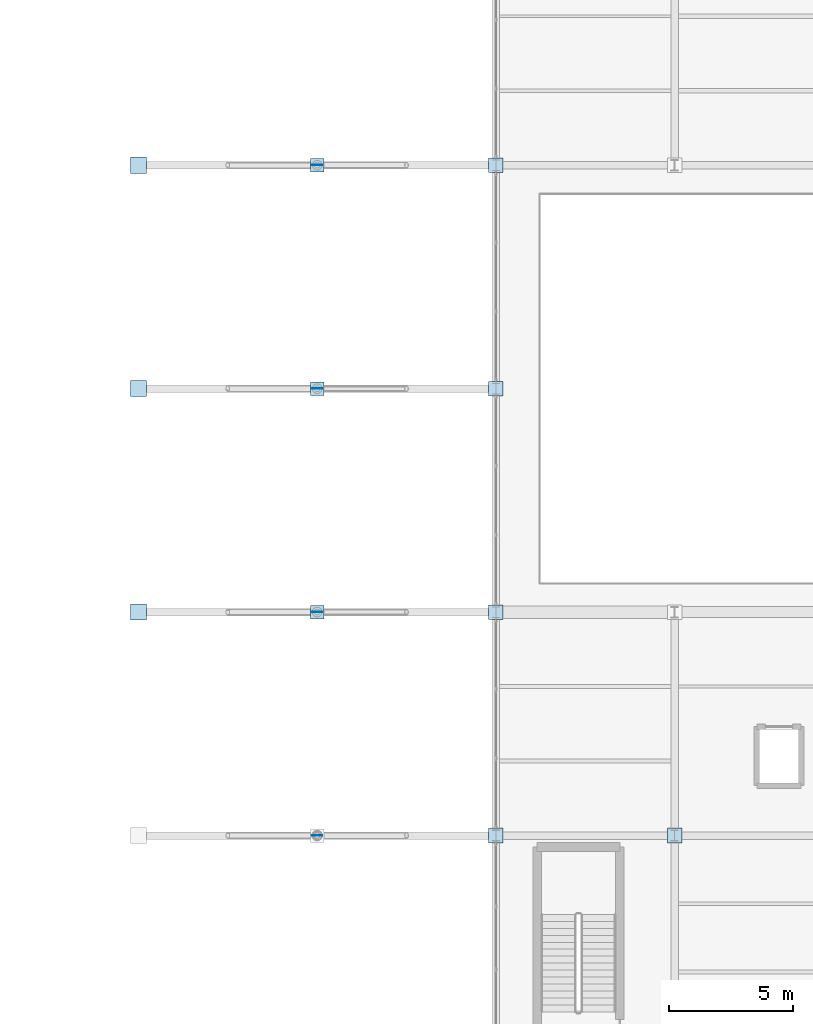
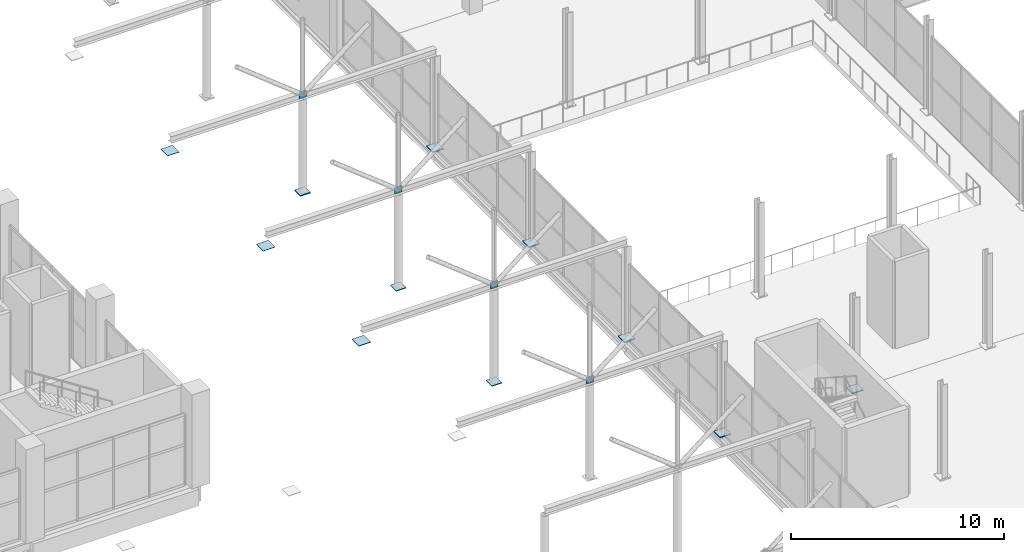
# One storey, part 123 of 147: 15 plates.
"""IFC4 building model written with IfcOpenShell, lengths in metres."""

from ifc_helpers import new_model, si_unit, direction, frame, origin, origin_2d, place, context, subcontext, project, spatial, rectangle, extrude, material, layer, layer_set, type_object, element, save


model = new_model("IFC4")

# Units and contexts
model_context = context("Model", 3, precision=1e-05, world=origin(), true_north=direction((0.0, 1.0)))
body_context = subcontext(model_context, "Body", "Model", "MODEL_VIEW")
ifc_project = project(units=[si_unit("LENGTHUNIT", "METRE"), si_unit("AREAUNIT", "SQUARE_METRE"), si_unit("VOLUMEUNIT", "CUBIC_METRE"), si_unit("PLANEANGLEUNIT", "RADIAN"), si_unit("MASSUNIT", "GRAM", prefix="KILO")], contexts=[model_context])

# Site, building, storey
site_placement = place(None, origin())
site = spatial("IfcSite", under=ifc_project, at=site_placement, CompositionType="ELEMENT")
building_placement = place(site_placement, origin())
building = spatial("IfcBuilding", under=site, at=building_placement, Name="Sundgate Opera House", CompositionType="ELEMENT")
storey_placement = place(building_placement, frame((0.0, 0.0, 6.0)))
storey = spatial("IfcBuildingStorey", under=building, at=storey_placement, Name="L01", CompositionType="ELEMENT", Elevation=6.0)

# Plates
ifc_material_1 = material(Name="Steel S355J2", Category="steel")
ifc_layer_1 = layer(ifc_material_1, 0.0400390625)
ifc_layer_set_1 = layer_set([ifc_layer_1], Name="Steel S355J2")
plate_type_1 = type_object("IfcPlateType", Name="PT-BAS-40", PredefinedType="USERDEFINED", material=ifc_layer_set_1)
plate_1_placement = place(storey_placement, frame((88.199951171875, 42.0, 0.0), z_axis=(0.0, 0.0, 1.0), x_axis=(1.0, 0.0, 0.0)))
element("IfcPlate", 1, at=plate_1_placement, inside=storey, type_object=plate_type_1, Name="L01 Base Plate PT0191", ObjectType="BASE PLATE", PredefinedType="USERDEFINED", context=body_context, shape_type="SweptSolid", body=[
    extrude(rectangle(XDim=0.5458984375, YDim=0.5458984375, at=origin_2d()), origin(), (0.0, 0.0, 1.0), 0.0400390625),
])
ifc_material_2 = material(Name="Steel S355J2", Category="steel")
ifc_layer_2 = layer(ifc_material_2, 0.044921875)
ifc_layer_set_2 = layer_set([ifc_layer_2], Name="Steel S355J2")
plate_type_2 = type_object("IfcPlateType", Name="PT-BAS-45", PredefinedType="USERDEFINED", material=ifc_layer_set_2)
plate_2_placement = place(storey_placement, frame((88.199951171875, 51.0, 0.0), z_axis=(0.0, 0.0, 1.0), x_axis=(1.0, 0.0, 0.0)))
element("IfcPlate", 2, at=plate_2_placement, inside=storey, type_object=plate_type_2, Name="L01 Base Plate PT0193", ObjectType="BASE PLATE", PredefinedType="USERDEFINED", context=body_context, shape_type="SweptSolid", body=[
    extrude(rectangle(XDim=0.5458984375, YDim=0.5458984375, at=origin_2d()), origin(), (0.0, 0.0, 1.0), 0.044921875),
])
ifc_material_3 = material(Name="Steel S355J2", Category="steel")
ifc_layer_3 = layer(ifc_material_3, 0.050048828125)
ifc_layer_set_3 = layer_set([ifc_layer_3], Name="Steel S355J2")
plate_type_3 = type_object("IfcPlateType", Name="PT-BAS-50", PredefinedType="USERDEFINED", material=ifc_layer_set_3)
plate_3_placement = place(storey_placement, frame((88.199951171875, 60.0, 0.0), z_axis=(0.0, 0.0, 1.0), x_axis=(1.0, 0.0, 0.0)))
element("IfcPlate", 3, at=plate_3_placement, inside=storey, type_object=plate_type_3, Name="L01 Base Plate PT0195", ObjectType="BASE PLATE", PredefinedType="USERDEFINED", context=body_context, shape_type="SweptSolid", body=[
    extrude(rectangle(XDim=0.5458984375, YDim=0.5458984375, at=origin_2d()), origin(), (0.0, 0.0, 1.0), 0.050048828125),
])
plate_4_placement = place(storey_placement, frame((95.39990234375, 33.0, 0.0), z_axis=(0.0, 0.0, 1.0), x_axis=(1.0, 0.0, 0.0)))
element("IfcPlate", 4, at=plate_4_placement, inside=storey, type_object=plate_type_3, Name="L01 Base Plate PT0222", ObjectType="BASE PLATE", PredefinedType="USERDEFINED", context=body_context, shape_type="SweptSolid", body=[
    extrude(rectangle(XDim=0.590087890625, YDim=0.590087890625, at=origin_2d()), origin(), (0.0, 0.0, 1.0), 0.050048828125),
])
ifc_material_4 = material(Name="Steel S355J2", Category="steel")
ifc_layer_4 = layer(ifc_material_4, 0.055908203125)
ifc_layer_set_4 = layer_set([ifc_layer_4], Name="Steel S355J2")
plate_type_4 = type_object("IfcPlateType", Name="PT-BAS-56", PredefinedType="USERDEFINED", material=ifc_layer_set_4)
for number, where, z_axis, x_axis, name in (
    (5, (95.39990234375, 60.0, 0.0), (0.0, 0.0, 1.0), (1.0, 0.0, 0.0), "L01 Base Plate PT0231"),
    (6, (102.60009765625, 33.0, 0.0), (0.0, 0.0, 1.0), (1.0, 0.0, 0.0), "L01 Base Plate PT0244"),
):
    element("IfcPlate", number, at=place(storey_placement, frame(where, z_axis=z_axis, x_axis=x_axis)), inside=storey, type_object=plate_type_4, Name=name, ObjectType="BASE PLATE", PredefinedType="USERDEFINED", context=body_context, shape_type="SweptSolid", body=[
        extrude(rectangle(XDim=0.590087890625, YDim=0.590087890625, at=origin_2d()), origin(), (0.0, 0.0, 1.0), 0.055908203125),
    ])
ifc_material_5 = material(Name="Steel S355J2", Category="steel")
ifc_layer_5 = layer(ifc_material_5, 0.06201171875)
ifc_layer_set_5 = layer_set([ifc_layer_5], Name="Steel S355J2")
plate_type_5 = type_object("IfcPlateType", Name="PT-BAS-62", PredefinedType="USERDEFINED", material=ifc_layer_set_5)
plate_5_placement = place(storey_placement, frame((95.39990234375, 51.0, 0.0), z_axis=(0.0, 0.0, 1.0), x_axis=(1.0, 0.0, 0.0)))
element("IfcPlate", 7, at=plate_5_placement, inside=storey, type_object=plate_type_5, Name="L01 Base Plate PT0228", ObjectType="BASE PLATE", PredefinedType="USERDEFINED", context=body_context, shape_type="SweptSolid", body=[
    extrude(rectangle(XDim=0.590087890625, YDim=0.590087890625, at=origin_2d()), origin(), (0.0, 0.0, 1.0), 0.06201171875),
])
ifc_material_6 = material(Name="Steel S355J2", Category="steel")
ifc_layer_6 = layer(ifc_material_6, 0.068115234375)
ifc_layer_set_6 = layer_set([ifc_layer_6], Name="Steel S355J2")
plate_type_6 = type_object("IfcPlateType", Name="PT-BAS-68", PredefinedType="USERDEFINED", material=ifc_layer_set_6)
plate_6_placement = place(storey_placement, frame((95.39990234375, 42.0, 0.0), z_axis=(0.0, 0.0, 1.0), x_axis=(1.0, 0.0, 0.0)))
element("IfcPlate", 8, at=plate_6_placement, inside=storey, type_object=plate_type_6, Name="L01 Base Plate PT0225", ObjectType="BASE PLATE", PredefinedType="USERDEFINED", context=body_context, shape_type="SweptSolid", body=[
    extrude(rectangle(XDim=0.590087890625, YDim=0.590087890625, at=origin_2d()), origin(), (0.0, 0.0, 1.0), 0.068115234375),
])
ifc_material_7 = material(Name="Steel S355J2", Category="steel")
ifc_layer_7 = layer(ifc_material_7, 0.02197265625)
ifc_layer_set_7 = layer_set([ifc_layer_7], Name="Steel S355J2")
plate_type_7 = type_object("IfcPlateType", Name="PT-GUS-22", PredefinedType="USERDEFINED", material=ifc_layer_set_7)
plate_7_placement = place(storey_placement, frame((81.0, 60.0, 4.87890625), z_axis=(0.0, 0.0, 1.0), x_axis=(1.0, 0.0, 0.0)))
element("IfcPlate", 9, at=plate_7_placement, inside=storey, type_object=plate_type_7, Name="Cantilever Node Gusset Plate PT0438", ObjectType="GUSSET PLATE", PredefinedType="USERDEFINED", context=body_context, shape_type="SweptSolid", body=[
    extrude(rectangle(XDim=0.64990234375, YDim=0.64990234375, at=origin_2d()), origin(), (0.0, 0.0, 1.0), 0.02197265625),
])
for number, where, z_axis, x_axis, name in (
    (10, (88.199951171875, 33.0, 5.39501953125), (0.0, 0.0, 1.0), (1.0, 0.0, 0.0), "Passage Strut Shared Base Gusset"),
    (11, (88.199951171875, 42.0, 5.39501953125), (0.0, 0.0, 1.0), (1.0, 0.0, 0.0), "Passage Strut Shared Base Gusset"),
    (12, (88.199951171875, 51.0, 5.39501953125), (0.0, 0.0, 1.0), (1.0, 0.0, 0.0), "Passage Strut Shared Base Gusset"),
    (13, (88.199951171875, 60.0, 5.39501953125), (0.0, 0.0, 1.0), (1.0, 0.0, 0.0), "Passage Strut Shared Base Gusset"),
):
    element("IfcPlate", number, at=place(storey_placement, frame(where, z_axis=z_axis, x_axis=x_axis)), inside=storey, type_object=plate_type_7, Name=name, ObjectType="GUSSET PLATE", PredefinedType="USERDEFINED", context=body_context, shape_type="SweptSolid", body=[
        extrude(rectangle(XDim=0.39990234375, YDim=0.02197265625, at=origin_2d()), origin(), (0.0, 0.0, 1.0), 0.39990234375),
    ])
ifc_material_8 = material(Name="Steel S355J2", Category="steel")
ifc_layer_8 = layer(ifc_material_8, 0.02490234375)
ifc_layer_set_8 = layer_set([ifc_layer_8], Name="Steel S355J2")
plate_type_8 = type_object("IfcPlateType", Name="PT-GUS-25", PredefinedType="USERDEFINED", material=ifc_layer_set_8)
plate_8_placement = place(storey_placement, frame((81.0, 51.0, 4.87744140625), z_axis=(0.0, 0.0, 1.0), x_axis=(1.0, 0.0, 0.0)))
element("IfcPlate", 14, at=plate_8_placement, inside=storey, type_object=plate_type_8, Name="Cantilever Node Gusset Plate PT0436", ObjectType="GUSSET PLATE", PredefinedType="USERDEFINED", context=body_context, shape_type="SweptSolid", body=[
    extrude(rectangle(XDim=0.64990234375, YDim=0.64990234375, at=origin_2d()), origin(), (0.0, 0.0, 1.0), 0.02490234375),
])
ifc_material_9 = material(Name="Steel S355J2", Category="steel")
ifc_layer_9 = layer(ifc_material_9, 0.028076171875)
ifc_layer_set_9 = layer_set([ifc_layer_9], Name="Steel S355J2")
plate_type_9 = type_object("IfcPlateType", Name="PT-GUS-28", PredefinedType="USERDEFINED", material=ifc_layer_set_9)
plate_9_placement = place(storey_placement, frame((81.0, 42.0, 4.8759765625), z_axis=(0.0, 0.0, 1.0), x_axis=(1.0, 0.0, 0.0)))
element("IfcPlate", 15, at=plate_9_placement, inside=storey, type_object=plate_type_9, Name="Cantilever Node Gusset Plate PT0434", ObjectType="GUSSET PLATE", PredefinedType="USERDEFINED", context=body_context, shape_type="SweptSolid", body=[
    extrude(rectangle(XDim=0.64990234375, YDim=0.64990234375, at=origin_2d()), origin(), (0.0, 0.0, 1.0), 0.028076171875),
])

save(model, "model.ifc")
